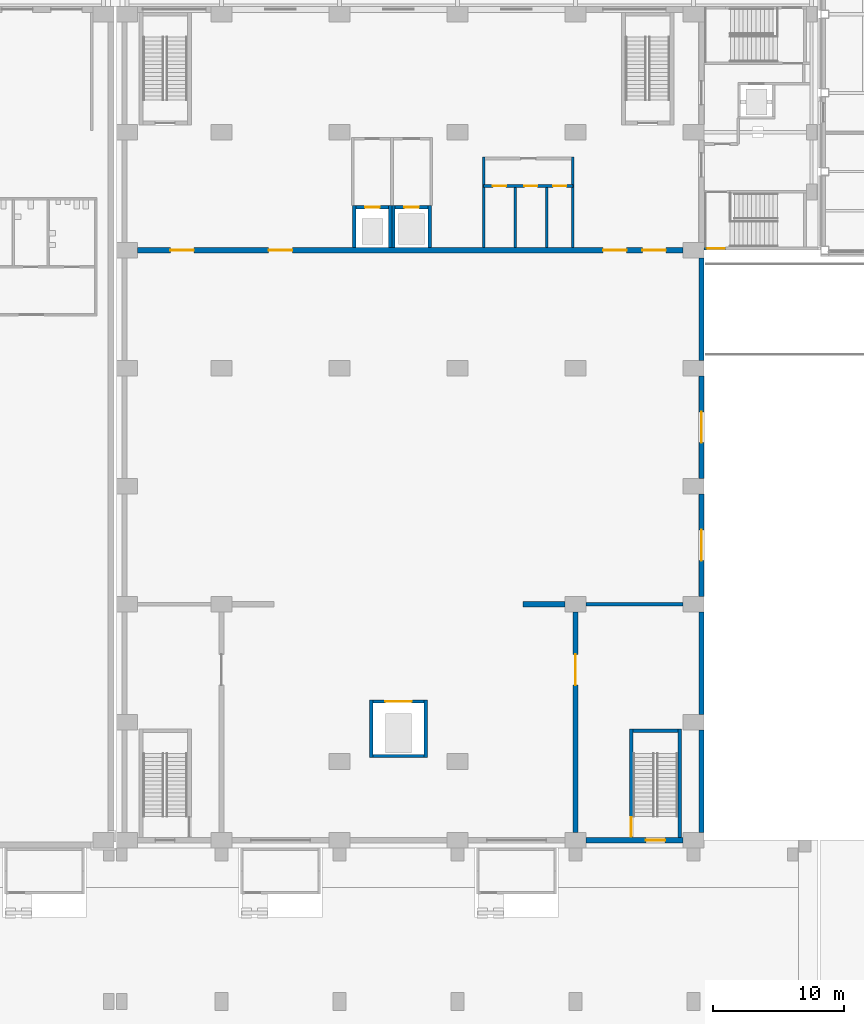
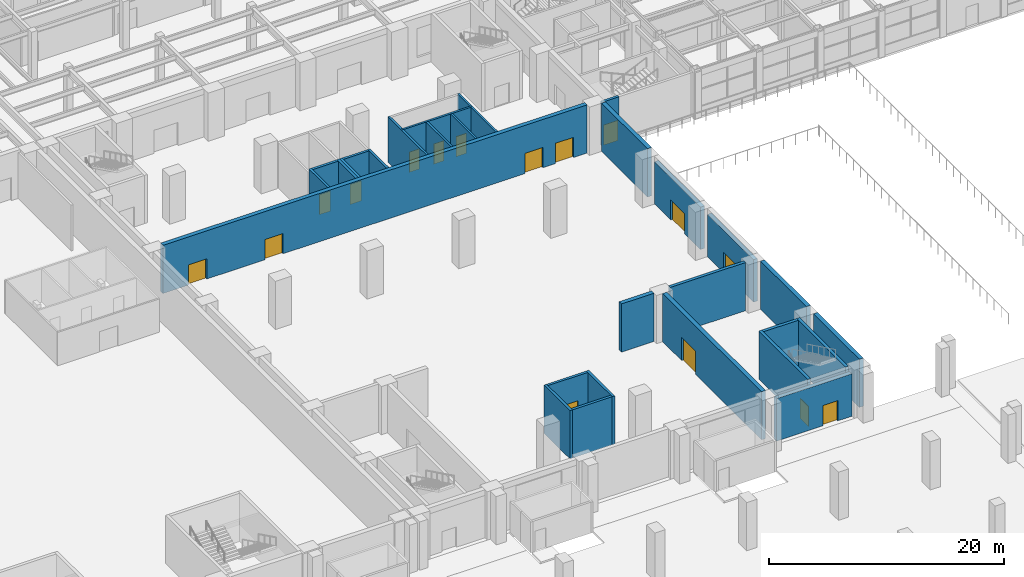
# One storey, part 43 of 77: 29 walls, 16 doors, 16 openings.
"""IFC4 building model written with IfcOpenShell, lengths in metres."""

from ifc_helpers import new_model, si_unit, direction, frame, frame_2d, origin, place, context, subcontext, project, spatial, rectangle, extrude, material, layer, layer_set, type_object, element, fill, save


model = new_model("IFC4")

# Units and contexts
model_context = context("Model", 3, precision=1e-05, world=origin(), true_north=direction((0.0, 1.0)))
body_context = subcontext(model_context, "Body", "Model", "MODEL_VIEW")
ifc_project = project(units=[si_unit("LENGTHUNIT", "METRE"), si_unit("AREAUNIT", "SQUARE_METRE"), si_unit("VOLUMEUNIT", "CUBIC_METRE"), si_unit("PLANEANGLEUNIT", "RADIAN"), si_unit("MASSUNIT", "GRAM", prefix="KILO")], contexts=[model_context])

# Site, building, storey
site_placement = place(None, origin())
site = spatial("IfcSite", under=ifc_project, at=site_placement, CompositionType="ELEMENT")
building_placement = place(site_placement, origin())
building = spatial("IfcBuilding", under=site, at=building_placement, Name="Aravalli Gate Trade Fair Centre", CompositionType="ELEMENT")
storey_placement = place(building_placement, origin())
storey = spatial("IfcBuildingStorey", under=building, at=storey_placement, Name="L00", CompositionType="ELEMENT", Elevation=0.0)

# Walls
ifc_material_1 = material(Name="Concrete M40", Category="concrete")
ifc_layer_1 = layer(ifc_material_1, 0.25)
ifc_layer_set_1 = layer_set([ifc_layer_1], Name="Concrete M40")
wall_type_1 = type_object("IfcWallType", Name="Congress RC wall 250 shaft", PredefinedType="SHEAR", material=ifc_layer_set_1)
for number, where, z_axis, x_axis, name in (
    (1, (125.425048828125, 52.300048828125, 0.0), (0.0, 0.0, 1.0), (0.0, 1.0, 0.0), "Goods lift shaft wall W L00"),
    (2, (129.574951171875, 52.300048828125, 0.0), (0.0, 0.0, 1.0), (0.0, 1.0, 0.0), "Goods lift shaft wall E L00"),
):
    element("IfcWall", number, at=place(storey_placement, frame(where, z_axis=z_axis, x_axis=x_axis)), inside=storey, type_object=wall_type_1, Name=name, PredefinedType="SHEAR", context=body_context, shape_type="SweptSolid", body=[
        extrude(rectangle(XDim=4.39990234375, YDim=0.25, at=frame_2d((2.199951171875, 0.0))), origin(), (0.0, 0.0, 1.0), 5.0),
    ])
wall_1_placement = place(storey_placement, frame((125.550048828125, 52.425048828125, 0.0), z_axis=(0.0, 0.0, 1.0), x_axis=(1.0, 0.0, 0.0)))
element("IfcWall", 3, at=wall_1_placement, inside=storey, type_object=wall_type_1, Name="Goods lift shaft wall F L00", PredefinedType="SHEAR", context=body_context, shape_type="SweptSolid", body=[
    extrude(rectangle(XDim=3.89990234375, YDim=0.25, at=frame_2d((1.949951171875, 0.0))), origin(), (0.0, 0.0, 1.0), 5.0),
])

# Wall, opening, door
wall_2_placement = place(storey_placement, frame((125.550048828125, 56.574951171875, 0.0), z_axis=(0.0, 0.0, 1.0), x_axis=(1.0, 0.0, 0.0)))
wall_2 = element("IfcWall", 4, at=wall_2_placement, inside=storey, type_object=wall_type_1, Name="Goods lift shaft wall N L00", PredefinedType="SHEAR", context=body_context, shape_type="SweptSolid", body=[
    extrude(rectangle(XDim=3.89990234375, YDim=0.25, at=frame_2d((1.949951171875, 0.0))), origin(), (0.0, 0.0, 1.0), 5.0),
])
opening_1_placement = place(wall_2_placement, frame((0.949951171875, 0.0, 0.0)))
opening_1 = element("IfcOpeningElement", 5, at=opening_1_placement, cuts=wall_2, Name="Opening G-L00-12", PredefinedType="OPENING", context=body_context, shape_type="SweptSolid", body=[
    extrude(rectangle(XDim=2.0, YDim=2.39990234375, at=frame_2d((1.0, 1.199951171875))), frame((0.0, 0.135009765625, 0.0), z_axis=(0.0, -1.0, 0.0), x_axis=(1.0, 0.0, 0.0)), (0.0, 0.0, 1.0), 0.27001953125),
])
ifc_material_2 = material(Name="Elevator door panels")
door_type_1 = type_object("IfcDoorType", Name="Congress lift landing door 2000 x 2400", OperationType="SLIDING_TO_LEFT", PredefinedType="DOOR", material=ifc_material_2)
door_1_placement = place(opening_1_placement, origin())
door_1 = element("IfcDoor", 6, at=door_1_placement, inside=storey, type_object=door_type_1, Name="Lift GL3 landing door G-L00-12", OperationType="SLIDING_TO_LEFT", OverallHeight=2.39990234375, OverallWidth=2.0, PredefinedType="DOOR", context=body_context, shape_type="SweptSolid", body=[
    extrude(rectangle(XDim=2.0, YDim=2.39990234375, at=frame_2d((1.0, 1.199951171875))), frame((0.0, 0.02490234375, 0.0), z_axis=(0.0, -1.0, 0.0), x_axis=(1.0, 0.0, 0.0)), (0.0, 0.0, 1.0), 0.050048828125),
])
fill(opening_1, door_1)

# Walls
for number, where, z_axis, x_axis, name in (
    (7, (124.125, 91.199951171875, 0.0), (0.0, 0.0, 1.0), (0.0, 1.0, 0.0), "Lift GL1 shaft wall W L00"),
    (8, (126.875, 91.199951171875, 0.0), (0.0, 0.0, 1.0), (0.0, 1.0, 0.0), "Lift GL1 shaft wall E L00"),
):
    element("IfcWall", number, at=place(storey_placement, frame(where, z_axis=z_axis, x_axis=x_axis)), inside=storey, type_object=wall_type_1, Name=name, PredefinedType="SHEAR", context=body_context, shape_type="SweptSolid", body=[
        extrude(rectangle(XDim=3.199951171875, YDim=0.25, at=frame_2d((1.60009765625, 0.0))), origin(), (0.0, 0.0, 1.0), 5.0),
    ])

# Wall, opening, door
wall_3_placement = place(storey_placement, frame((124.25, 94.27490234375, 0.0), z_axis=(0.0, 0.0, 1.0), x_axis=(1.0, 0.0, 0.0)))
wall_3 = element("IfcWall", 9, at=wall_3_placement, inside=storey, type_object=wall_type_1, Name="Lift GL1 shaft wall F L00", PredefinedType="SHEAR", context=body_context, shape_type="SweptSolid", body=[
    extrude(rectangle(XDim=2.5, YDim=0.25, at=frame_2d((1.25, 0.0))), origin(), (0.0, 0.0, 1.0), 5.0),
])
opening_2_placement = place(wall_3_placement, frame((0.699951171875, 0.0, 0.0)))
opening_2 = element("IfcOpeningElement", 10, at=opening_2_placement, cuts=wall_3, Name="Opening G-L00-17", PredefinedType="OPENING", context=body_context, shape_type="SweptSolid", body=[
    extrude(rectangle(XDim=1.10009765625, YDim=2.10009765625, at=frame_2d((0.550048828125, 1.050048828125))), frame((0.0, 0.135009765625, 0.0), z_axis=(0.0, -1.0, 0.0), x_axis=(1.0, 0.0, 0.0)), (0.0, 0.0, 1.0), 0.27001953125),
])
door_type_2 = type_object("IfcDoorType", Name="Congress lift landing door 1100 x 2100", OperationType="SLIDING_TO_LEFT", PredefinedType="DOOR", material=ifc_material_2)
door_2_placement = place(opening_2_placement, origin())
door_2 = element("IfcDoor", 11, at=door_2_placement, inside=storey, type_object=door_type_2, Name="Lift GL1 landing door G-L00-17", OperationType="SLIDING_TO_LEFT", OverallHeight=2.10009765625, OverallWidth=1.10009765625, PredefinedType="DOOR", context=body_context, shape_type="SweptSolid", body=[
    extrude(rectangle(XDim=1.10009765625, YDim=2.10009765625, at=frame_2d((0.550048828125, 1.050048828125))), frame((0.0, 0.02490234375, 0.0), z_axis=(0.0, -1.0, 0.0), x_axis=(1.0, 0.0, 0.0)), (0.0, 0.0, 1.0), 0.050048828125),
])
fill(opening_2, door_2)

# Walls
for number, where, z_axis, x_axis, name in (
    (12, (127.125, 91.199951171875, 0.0), (0.0, 0.0, 1.0), (0.0, 1.0, 0.0), "Lift GL2 shaft wall W L00"),
    (13, (129.875, 91.199951171875, 0.0), (0.0, 0.0, 1.0), (0.0, 1.0, 0.0), "Lift GL2 shaft wall E L00"),
):
    element("IfcWall", number, at=place(storey_placement, frame(where, z_axis=z_axis, x_axis=x_axis)), inside=storey, type_object=wall_type_1, Name=name, PredefinedType="SHEAR", context=body_context, shape_type="SweptSolid", body=[
        extrude(rectangle(XDim=3.199951171875, YDim=0.25, at=frame_2d((1.60009765625, 0.0))), origin(), (0.0, 0.0, 1.0), 5.0),
    ])

# Wall, opening, door
wall_4_placement = place(storey_placement, frame((127.25, 94.27490234375, 0.0), z_axis=(0.0, 0.0, 1.0), x_axis=(1.0, 0.0, 0.0)))
wall_4 = element("IfcWall", 14, at=wall_4_placement, inside=storey, type_object=wall_type_1, Name="Lift GL2 shaft wall F L00", PredefinedType="SHEAR", context=body_context, shape_type="SweptSolid", body=[
    extrude(rectangle(XDim=2.5, YDim=0.25, at=frame_2d((1.25, 0.0))), origin(), (0.0, 0.0, 1.0), 5.0),
])
opening_3_placement = place(wall_4_placement, frame((0.699951171875, 0.0, 0.0)))
opening_3 = element("IfcOpeningElement", 15, at=opening_3_placement, cuts=wall_4, Name="Opening G-L00-18", PredefinedType="OPENING", context=body_context, shape_type="SweptSolid", body=[
    extrude(rectangle(XDim=1.10009765625, YDim=2.10009765625, at=frame_2d((0.550048828125, 1.050048828125))), frame((0.0, 0.135009765625, 0.0), z_axis=(0.0, -1.0, 0.0), x_axis=(1.0, 0.0, 0.0)), (0.0, 0.0, 1.0), 0.27001953125),
])
door_3_placement = place(opening_3_placement, origin())
door_3 = element("IfcDoor", 16, at=door_3_placement, inside=storey, type_object=door_type_2, Name="Lift GL2 landing door G-L00-18", OperationType="SLIDING_TO_LEFT", OverallHeight=2.10009765625, OverallWidth=1.10009765625, PredefinedType="DOOR", context=body_context, shape_type="SweptSolid", body=[
    extrude(rectangle(XDim=1.10009765625, YDim=2.10009765625, at=frame_2d((0.550048828125, 1.050048828125))), frame((0.0, 0.02490234375, 0.0), z_axis=(0.0, -1.0, 0.0), x_axis=(1.0, 0.0, 0.0)), (0.0, 0.0, 1.0), 0.050048828125),
])
fill(opening_3, door_3)

# Wall
ifc_layer_2 = layer(ifc_material_1, 0.300048828125)
ifc_layer_set_2 = layer_set([ifc_layer_2], Name="Concrete M40")
wall_type_2 = type_object("IfcWallType", Name="Congress RC wall 300", PredefinedType="SHEAR", material=ifc_layer_set_2)
wall_5_placement = place(storey_placement, frame((141.800048828125, 64.0, 0.0), z_axis=(0.0, 0.0, 1.0), x_axis=(1.0, 0.0, 0.0)))
element("IfcWall", 17, at=wall_5_placement, inside=storey, type_object=wall_type_2, Name="Stage wing north wall E L00", PredefinedType="SHEAR", context=body_context, shape_type="SweptSolid", body=[
    extrude(rectangle(XDim=7.39990234375, YDim=0.300048828125, at=frame_2d((3.699951171875, 0.0))), origin(), (0.0, 0.0, 1.0), 5.0),
])

# Wall, opening, door
wall_6_placement = place(storey_placement, frame((145.25, 46.199951171875, 0.0), z_axis=(0.0, 0.0, 1.0), x_axis=(0.0, 1.0, 0.0)))
wall_6 = element("IfcWall", 18, at=wall_6_placement, inside=storey, type_object=wall_type_2, Name="Stage Stair East wall W L00", PredefinedType="SHEAR", context=body_context, shape_type="SweptSolid", body=[
    extrude(rectangle(XDim=8.300048828125, YDim=0.300048828125, at=frame_2d((4.14990234375, 0.0))), origin(), (0.0, 0.0, 1.0), 5.0),
])
opening_4_placement = place(wall_6_placement, frame((0.0849609375, 0.0, 0.0)))
opening_4 = element("IfcOpeningElement", 19, at=opening_4_placement, cuts=wall_6, Name="Opening G-L00-14", PredefinedType="OPENING", context=body_context, shape_type="SweptSolid", body=[
    extrude(rectangle(XDim=1.449951171875, YDim=2.10009765625, at=frame_2d((0.72509765625, 1.050048828125))), frame((0.0, 0.159912109375, 0.0), z_axis=(0.0, -1.0, 0.0), x_axis=(1.0, 0.0, 0.0)), (0.0, 0.0, 1.0), 0.320068359375),
])
ifc_material_3 = material(Name="Steel, fire rated", Category="steel")
door_type_3 = type_object("IfcDoorType", Name="Congress fire door FD120 1450 x 2100", OperationType="SINGLE_SWING_LEFT", PredefinedType="DOOR", material=ifc_material_3)
door_4_placement = place(opening_4_placement, frame((1.449951171875, 0.0, 0.0), z_axis=(0.0, 0.0, 1.0), x_axis=(-1.0, 0.0, 0.0)))
door_4 = element("IfcDoor", 20, at=door_4_placement, inside=storey, type_object=door_type_3, Name="Stage Stair East door L00", OperationType="SINGLE_SWING_RIGHT", OverallHeight=2.10009765625, OverallWidth=1.449951171875, PredefinedType="DOOR", context=body_context, shape_type="SweptSolid", body=[
    extrude(rectangle(XDim=1.449951171875, YDim=2.10009765625, at=frame_2d((0.72509765625, 1.050048828125))), frame((0.0, 0.02490234375, 0.0), z_axis=(0.0, -1.0, 0.0), x_axis=(1.0, 0.0, 0.0)), (0.0, 0.0, 1.0), 0.050048828125),
])
fill(opening_4, door_4)

# Walls
wall_7_placement = place(storey_placement, frame((148.949951171875, 46.199951171875, 0.0), z_axis=(0.0, 0.0, 1.0), x_axis=(0.0, 1.0, 0.0)))
element("IfcWall", 21, at=wall_7_placement, inside=storey, type_object=wall_type_2, Name="Stage Stair East wall E L00", PredefinedType="SHEAR", context=body_context, shape_type="SweptSolid", body=[
    extrude(rectangle(XDim=8.300048828125, YDim=0.300048828125, at=frame_2d((4.14990234375, 0.0))), origin(), (0.0, 0.0, 1.0), 5.0),
])
wall_8_placement = place(storey_placement, frame((145.39990234375, 54.35009765625, 0.0), z_axis=(0.0, 0.0, 1.0), x_axis=(1.0, 0.0, 0.0)))
element("IfcWall", 22, at=wall_8_placement, inside=storey, type_object=wall_type_2, Name="Stage Stair East wall N L00", PredefinedType="SHEAR", context=body_context, shape_type="SweptSolid", body=[
    extrude(rectangle(XDim=3.400146484375, YDim=0.300048828125, at=frame_2d((1.7001953125, 0.0))), origin(), (0.0, 0.0, 1.0), 5.0),
])

# Wall, openings, doors
ifc_layer_3 = layer(ifc_material_1, 0.39990234375)
ifc_layer_set_3 = layer_set([ifc_layer_3], Name="Concrete M40")
wall_type_3 = type_object("IfcWallType", Name="Congress RC wall 400", PredefinedType="SHEAR", material=ifc_layer_set_3)
wall_9_placement = place(storey_placement, frame((107.60009765625, 91.0, 0.0), z_axis=(0.0, 0.0, 1.0), x_axis=(1.0, 0.0, 0.0)))
wall_9 = element("IfcWall", 23, at=wall_9_placement, inside=storey, type_object=wall_type_3, Name="Auditorium rear wall L00", PredefinedType="SHEAR", context=body_context, shape_type="SweptSolid", body=[
    extrude(rectangle(XDim=41.599853515625, YDim=0.39990234375, at=frame_2d((20.7998046875, 0.0))), origin(), (0.0, 0.0, 1.0), 5.0),
])
opening_5_placement = place(wall_9_placement, frame((2.5, 0.0, 0.0)))
opening_5 = element("IfcOpeningElement", 24, at=opening_5_placement, cuts=wall_9, Name="Opening G-L00-25", PredefinedType="OPENING", context=body_context, shape_type="SweptSolid", body=[
    extrude(rectangle(XDim=1.800048828125, YDim=2.10009765625, at=frame_2d((0.89990234375, 1.050048828125))), frame((0.0, 0.2099609375, 0.0), z_axis=(0.0, -1.0, 0.0), x_axis=(1.0, 0.0, 0.0)), (0.0, 0.0, 1.0), 0.419921875),
])
opening_6_placement = place(wall_9_placement, frame((10.0, 0.0, 0.0)))
opening_6 = element("IfcOpeningElement", 25, at=opening_6_placement, cuts=wall_9, Name="Opening G-L00-26", PredefinedType="OPENING", context=body_context, shape_type="SweptSolid", body=[
    extrude(rectangle(XDim=1.800048828125, YDim=2.10009765625, at=frame_2d((0.89990234375, 1.050048828125))), frame((0.0, 0.2099609375, 0.0), z_axis=(0.0, -1.0, 0.0), x_axis=(1.0, 0.0, 0.0)), (0.0, 0.0, 1.0), 0.419921875),
])
opening_7_placement = place(wall_9_placement, frame((35.5, 0.0, 0.0)))
opening_7 = element("IfcOpeningElement", 26, at=opening_7_placement, cuts=wall_9, Name="Opening G-L00-27", PredefinedType="OPENING", context=body_context, shape_type="SweptSolid", body=[
    extrude(rectangle(XDim=1.800048828125, YDim=2.10009765625, at=frame_2d((0.89990234375, 1.050048828125))), frame((0.0, 0.2099609375, 0.0), z_axis=(0.0, -1.0, 0.0), x_axis=(1.0, 0.0, 0.0)), (0.0, 0.0, 1.0), 0.419921875),
])
opening_8_placement = place(wall_9_placement, frame((38.5, 0.0, 0.0)))
opening_8 = element("IfcOpeningElement", 27, at=opening_8_placement, cuts=wall_9, Name="Opening G-L00-28", PredefinedType="OPENING", context=body_context, shape_type="SweptSolid", body=[
    extrude(rectangle(XDim=1.800048828125, YDim=2.10009765625, at=frame_2d((0.89990234375, 1.050048828125))), frame((0.0, 0.2099609375, 0.0), z_axis=(0.0, -1.0, 0.0), x_axis=(1.0, 0.0, 0.0)), (0.0, 0.0, 1.0), 0.419921875),
])
door_type_4 = type_object("IfcDoorType", Name="Congress fire door FD120 1800 x 2100 double door single swing", OperationType="DOUBLE_DOOR_SINGLE_SWING", PredefinedType="DOOR", material=ifc_material_3)
door_5_placement = place(opening_5_placement, origin())
door_5 = element("IfcDoor", 28, at=door_5_placement, inside=storey, type_object=door_type_4, Name="Auditorium rear door L00 1", OperationType="DOUBLE_DOOR_SINGLE_SWING", OverallHeight=2.10009765625, OverallWidth=1.800048828125, PredefinedType="DOOR", context=body_context, shape_type="SweptSolid", body=[
    extrude(rectangle(XDim=1.800048828125, YDim=2.10009765625, at=frame_2d((0.89990234375, 1.050048828125))), frame((0.0, 0.02490234375, 0.0), z_axis=(0.0, -1.0, 0.0), x_axis=(1.0, 0.0, 0.0)), (0.0, 0.0, 1.0), 0.050048828125),
])
fill(opening_5, door_5)
door_6_placement = place(opening_6_placement, frame((1.800048828125, 0.0, 0.0), z_axis=(0.0, 0.0, 1.0), x_axis=(-1.0, 0.0, 0.0)))
door_6 = element("IfcDoor", 29, at=door_6_placement, inside=storey, type_object=door_type_4, Name="Auditorium rear door L00 2", OperationType="DOUBLE_DOOR_SINGLE_SWING", OverallHeight=2.10009765625, OverallWidth=1.800048828125, PredefinedType="DOOR", context=body_context, shape_type="SweptSolid", body=[
    extrude(rectangle(XDim=1.800048828125, YDim=2.10009765625, at=frame_2d((0.89990234375, 1.050048828125))), frame((0.0, 0.02490234375, 0.0), z_axis=(0.0, -1.0, 0.0), x_axis=(1.0, 0.0, 0.0)), (0.0, 0.0, 1.0), 0.050048828125),
])
fill(opening_6, door_6)
door_7_placement = place(opening_7_placement, origin())
door_7 = element("IfcDoor", 30, at=door_7_placement, inside=storey, type_object=door_type_4, Name="Auditorium rear door L00 3", OperationType="DOUBLE_DOOR_SINGLE_SWING", OverallHeight=2.10009765625, OverallWidth=1.800048828125, PredefinedType="DOOR", context=body_context, shape_type="SweptSolid", body=[
    extrude(rectangle(XDim=1.800048828125, YDim=2.10009765625, at=frame_2d((0.89990234375, 1.050048828125))), frame((0.0, 0.02490234375, 0.0), z_axis=(0.0, -1.0, 0.0), x_axis=(1.0, 0.0, 0.0)), (0.0, 0.0, 1.0), 0.050048828125),
])
fill(opening_7, door_7)
door_8_placement = place(opening_8_placement, frame((1.800048828125, 0.0, 0.0), z_axis=(0.0, 0.0, 1.0), x_axis=(-1.0, 0.0, 0.0)))
door_8 = element("IfcDoor", 31, at=door_8_placement, inside=storey, type_object=door_type_4, Name="Auditorium rear door L00 4", OperationType="DOUBLE_DOOR_SINGLE_SWING", OverallHeight=2.10009765625, OverallWidth=1.800048828125, PredefinedType="DOOR", context=body_context, shape_type="SweptSolid", body=[
    extrude(rectangle(XDim=1.800048828125, YDim=2.10009765625, at=frame_2d((0.89990234375, 1.050048828125))), frame((0.0, 0.02490234375, 0.0), z_axis=(0.0, -1.0, 0.0), x_axis=(1.0, 0.0, 0.0)), (0.0, 0.0, 1.0), 0.050048828125),
])
fill(opening_8, door_8)

# Wall, opening, door
wall_10_placement = place(storey_placement, frame((141.0, 46.60009765625, 0.0), z_axis=(0.0, 0.0, 1.0), x_axis=(0.0, 1.0, 0.0)))
wall_10 = element("IfcWall", 32, at=wall_10_placement, inside=storey, type_object=wall_type_3, Name="Stage house wall line 141 L00", PredefinedType="SHEAR", context=body_context, shape_type="SweptSolid", body=[
    extrude(rectangle(XDim=16.7998046875, YDim=0.39990234375, at=frame_2d((8.39990234375, 0.0))), origin(), (0.0, 0.0, 1.0), 5.0),
])
opening_9_placement = place(wall_10_placement, frame((11.22509765625, 0.0, 0.0)))
opening_9 = element("IfcOpeningElement", 33, at=opening_9_placement, cuts=wall_10, Name="Opening G-L00-30", PredefinedType="OPENING", context=body_context, shape_type="SweptSolid", body=[
    extrude(rectangle(XDim=2.35009765625, YDim=2.39990234375, at=frame_2d((1.175048828125, 1.199951171875))), frame((0.0, 0.2099609375, 0.0), z_axis=(0.0, -1.0, 0.0), x_axis=(1.0, 0.0, 0.0)), (0.0, 0.0, 1.0), 0.419921875),
])
door_type_5 = type_object("IfcDoorType", Name="Congress fire door FD120 2350 x 2400 double door single swing", OperationType="DOUBLE_DOOR_SINGLE_SWING", PredefinedType="DOOR", material=ifc_material_3)
door_9_placement = place(opening_9_placement, frame((2.35009765625, 0.0, 0.0), z_axis=(0.0, 0.0, 1.0), x_axis=(-1.0, 0.0, 0.0)))
door_9 = element("IfcDoor", 34, at=door_9_placement, inside=storey, type_object=door_type_5, Name="Stage door E", OperationType="DOUBLE_DOOR_SINGLE_SWING", OverallHeight=2.39990234375, OverallWidth=2.35009765625, PredefinedType="DOOR", context=body_context, shape_type="SweptSolid", body=[
    extrude(rectangle(XDim=2.35009765625, YDim=2.39990234375, at=frame_2d((1.175048828125, 1.199951171875))), frame((0.0, 0.02490234375, 0.0), z_axis=(0.0, -1.0, 0.0), x_axis=(1.0, 0.0, 0.0)), (0.0, 0.0, 1.0), 0.050048828125),
])
fill(opening_9, door_9)

# Walls
wall_11_placement = place(storey_placement, frame((137.0, 64.0, 0.0), z_axis=(0.0, 0.0, 1.0), x_axis=(1.0, 0.0, 0.0)))
element("IfcWall", 35, at=wall_11_placement, inside=storey, type_object=wall_type_3, Name="Proscenium wall E L00", PredefinedType="SHEAR", context=body_context, shape_type="SweptSolid", body=[
    extrude(rectangle(XDim=3.199951171875, YDim=0.39990234375, at=frame_2d((1.60009765625, 0.0))), origin(), (0.0, 0.0, 1.0), 5.0),
])
ifc_layer_4 = layer(ifc_material_1, 0.25, Name="Structural wall")
ifc_material_4 = material(Name="Ventilated air cavity")
ifc_layer_5 = layer(ifc_material_4, 0.050048828125, ventilated=True, Name="Ventilated cavity")
ifc_material_5 = material(Name="Terracotta rainscreen", Category="masonry")
ifc_layer_6 = layer(ifc_material_5, 0.10009765625, Name="Rainscreen cladding")
ifc_layer_set_4 = layer_set([ifc_layer_4, ifc_layer_5, ifc_layer_6], Name="Congress external wall 400")
wall_type_4 = type_object("IfcWallType", Name="Congress external wall 400", PredefinedType="SOLIDWALL", material=ifc_layer_set_4)
for number, where, z_axis, x_axis, name in (
    (36, (150.60009765625, 46.60009765625, 0.0), (0.0, 0.0, 1.0), (0.0, 1.0, 0.0), "East wall L00 bay 1"),
    (37, (150.60009765625, 55.60009765625, 0.0), (0.0, 0.0, 1.0), (0.0, 1.0, 0.0), "East wall L00 bay 2"),
):
    element("IfcWall", number, at=place(storey_placement, frame(where, z_axis=z_axis, x_axis=x_axis)), inside=storey, type_object=wall_type_4, Name=name, PredefinedType="SOLIDWALL", context=body_context, shape_type="SweptSolid", body=[
        extrude(rectangle(XDim=7.7998046875, YDim=0.39990234375, at=frame_2d((3.89990234375, 0.0))), origin(), (0.0, 0.0, 1.0), 5.0),
    ])

# Wall, opening, door
wall_12_placement = place(storey_placement, frame((150.60009765625, 64.60009765625, 0.0), z_axis=(0.0, 0.0, 1.0), x_axis=(0.0, 1.0, 0.0)))
wall_12 = element("IfcWall", 38, at=wall_12_placement, inside=storey, type_object=wall_type_4, Name="East wall L00 bay 3", PredefinedType="SOLIDWALL", context=body_context, shape_type="SweptSolid", body=[
    extrude(rectangle(XDim=7.7998046875, YDim=0.39990234375, at=frame_2d((3.89990234375, 0.0))), origin(), (0.0, 0.0, 1.0), 4.39990234375),
])
opening_10_placement = place(wall_12_placement, frame((2.72509765625, 0.0, 0.0)))
opening_10 = element("IfcOpeningElement", 39, at=opening_10_placement, cuts=wall_12, Name="Opening G-L00-05", PredefinedType="OPENING", context=body_context, shape_type="SweptSolid", body=[
    extrude(rectangle(XDim=2.35009765625, YDim=2.10009765625, at=frame_2d((1.175048828125, 1.050048828125))), frame((0.0, 0.2099609375, 0.0), z_axis=(0.0, -1.0, 0.0), x_axis=(1.0, 0.0, 0.0)), (0.0, 0.0, 1.0), 0.419921875),
])
door_type_6 = type_object("IfcDoorType", Name="Congress fire door FD120 2350 x 2100 double door single swing", OperationType="DOUBLE_DOOR_SINGLE_SWING", PredefinedType="DOOR", material=ifc_material_3)
door_10_placement = place(opening_10_placement, frame((2.35009765625, 0.0, 0.0), z_axis=(0.0, 0.0, 1.0), x_axis=(-1.0, 0.0, 0.0)))
door_10 = element("IfcDoor", 40, at=door_10_placement, inside=storey, type_object=door_type_6, Name="Auditorium side exit 1", OperationType="DOUBLE_DOOR_SINGLE_SWING", OverallHeight=2.10009765625, OverallWidth=2.35009765625, PredefinedType="DOOR", context=body_context, shape_type="SweptSolid", body=[
    extrude(rectangle(XDim=2.35009765625, YDim=2.10009765625, at=frame_2d((1.175048828125, 1.050048828125))), frame((0.0, 0.02490234375, 0.0), z_axis=(0.0, -1.0, 0.0), x_axis=(1.0, 0.0, 0.0)), (0.0, 0.0, 1.0), 0.050048828125),
])
fill(opening_10, door_10)

wall_13_placement = place(storey_placement, frame((150.60009765625, 73.60009765625, 0.0), z_axis=(0.0, 0.0, 1.0), x_axis=(0.0, 1.0, 0.0)))
wall_13 = element("IfcWall", 41, at=wall_13_placement, inside=storey, type_object=wall_type_4, Name="East wall L00 bay 4", PredefinedType="SOLIDWALL", context=body_context, shape_type="SweptSolid", body=[
    extrude(rectangle(XDim=7.7998046875, YDim=0.39990234375, at=frame_2d((3.89990234375, 0.0))), origin(), (0.0, 0.0, 1.0), 4.39990234375),
])
opening_11_placement = place(wall_13_placement, frame((2.72509765625, 0.0, 0.0)))
opening_11 = element("IfcOpeningElement", 42, at=opening_11_placement, cuts=wall_13, Name="Opening G-L00-06", PredefinedType="OPENING", context=body_context, shape_type="SweptSolid", body=[
    extrude(rectangle(XDim=2.35009765625, YDim=2.10009765625, at=frame_2d((1.175048828125, 1.050048828125))), frame((0.0, 0.2099609375, 0.0), z_axis=(0.0, -1.0, 0.0), x_axis=(1.0, 0.0, 0.0)), (0.0, 0.0, 1.0), 0.419921875),
])
door_11_placement = place(opening_11_placement, frame((2.35009765625, 0.0, 0.0), z_axis=(0.0, 0.0, 1.0), x_axis=(-1.0, 0.0, 0.0)))
door_11 = element("IfcDoor", 43, at=door_11_placement, inside=storey, type_object=door_type_6, Name="Auditorium side exit 2", OperationType="DOUBLE_DOOR_SINGLE_SWING", OverallHeight=2.10009765625, OverallWidth=2.35009765625, PredefinedType="DOOR", context=body_context, shape_type="SweptSolid", body=[
    extrude(rectangle(XDim=2.35009765625, YDim=2.10009765625, at=frame_2d((1.175048828125, 1.050048828125))), frame((0.0, 0.02490234375, 0.0), z_axis=(0.0, -1.0, 0.0), x_axis=(1.0, 0.0, 0.0)), (0.0, 0.0, 1.0), 0.050048828125),
])
fill(opening_11, door_11)

# Wall
wall_14_placement = place(storey_placement, frame((150.60009765625, 82.60009765625, 0.0), z_axis=(0.0, 0.0, 1.0), x_axis=(0.0, 1.0, 0.0)))
element("IfcWall", 44, at=wall_14_placement, inside=storey, type_object=wall_type_4, Name="East wall L00 bay 5", PredefinedType="SOLIDWALL", context=body_context, shape_type="SweptSolid", body=[
    extrude(rectangle(XDim=7.7998046875, YDim=0.39990234375, at=frame_2d((3.89990234375, 0.0))), origin(), (0.0, 0.0, 1.0), 5.0),
])

# Wall, opening, door
wall_15_placement = place(storey_placement, frame((141.800048828125, 46.0, 0.0), z_axis=(0.0, 0.0, 1.0), x_axis=(1.0, 0.0, 0.0)))
wall_15 = element("IfcWall", 45, at=wall_15_placement, inside=storey, type_object=wall_type_4, Name="South wall L00 bay 5", PredefinedType="SOLIDWALL", context=body_context, shape_type="SweptSolid", body=[
    extrude(rectangle(XDim=7.39990234375, YDim=0.39990234375, at=frame_2d((3.699951171875, 0.0))), origin(), (0.0, 0.0, 1.0), 4.39990234375),
])
opening_12_placement = place(wall_15_placement, frame((4.574951171875, 0.0, 0.0)))
opening_12 = element("IfcOpeningElement", 46, at=opening_12_placement, cuts=wall_15, Name="Opening G-L00-04", PredefinedType="OPENING", context=body_context, shape_type="SweptSolid", body=[
    extrude(rectangle(XDim=1.449951171875, YDim=2.10009765625, at=frame_2d((0.72509765625, 1.050048828125))), frame((0.0, 0.2099609375, 0.0), z_axis=(0.0, -1.0, 0.0), x_axis=(1.0, 0.0, 0.0)), (0.0, 0.0, 1.0), 0.419921875),
])
door_12_placement = place(opening_12_placement, frame((1.449951171875, 0.0, 0.0), z_axis=(0.0, 0.0, 1.0), x_axis=(-1.0, 0.0, 0.0)))
door_12 = element("IfcDoor", 47, at=door_12_placement, inside=storey, type_object=door_type_3, Name="Stage Stair East Exit Door", OperationType="SINGLE_SWING_LEFT", OverallHeight=2.10009765625, OverallWidth=1.449951171875, PredefinedType="DOOR", context=body_context, shape_type="SweptSolid", body=[
    extrude(rectangle(XDim=1.449951171875, YDim=2.10009765625, at=frame_2d((0.72509765625, 1.050048828125))), frame((0.0, 0.02490234375, 0.0), z_axis=(0.0, -1.0, 0.0), x_axis=(1.0, 0.0, 0.0)), (0.0, 0.0, 1.0), 0.050048828125),
])
fill(opening_12, door_12)

# Walls
ifc_material_6 = material(Name="Concrete block masonry", Category="masonry")
ifc_layer_7 = layer(ifc_material_6, 0.199951171875)
ifc_layer_set_5 = layer_set([ifc_layer_7], Name="Concrete block masonry")
wall_type_5 = type_object("IfcWallType", Name="Congress partition 200", PredefinedType="PARTITIONING", material=ifc_layer_set_5)
for number, where, z_axis, x_axis, name in (
    (48, (134.0, 91.199951171875, 0.0), (0.0, 0.0, 1.0), (0.0, 1.0, 0.0), "WC block wall W L00"),
    (49, (140.800048828125, 91.199951171875, 0.0), (0.0, 0.0, 1.0), (0.0, 1.0, 0.0), "WC block wall E L00"),
):
    element("IfcWall", number, at=place(storey_placement, frame(where, z_axis=z_axis, x_axis=x_axis)), inside=storey, type_object=wall_type_5, Name=name, PredefinedType="PARTITIONING", context=body_context, shape_type="SweptSolid", body=[
        extrude(rectangle(XDim=6.900146484375, YDim=0.199951171875, at=frame_2d((3.4501953125, 0.0))), origin(), (0.0, 0.0, 1.0), 4.699951171875),
    ])

# Wall, openings, doors
wall_16_placement = place(storey_placement, frame((134.0, 95.89990234375, 0.0), z_axis=(0.0, 0.0, 1.0), x_axis=(1.0, 0.0, 0.0)))
wall_16 = element("IfcWall", 50, at=wall_16_placement, inside=storey, type_object=wall_type_5, Name="WC block partition L00", PredefinedType="PARTITIONING", context=body_context, shape_type="SweptSolid", body=[
    extrude(rectangle(XDim=6.800048828125, YDim=0.199951171875, at=frame_2d((3.39990234375, 0.0))), origin(), (0.0, 0.0, 1.0), 4.699951171875),
])
opening_13_placement = place(wall_16_placement, frame((0.699951171875, 0.0, 0.0)))
opening_13 = element("IfcOpeningElement", 51, at=opening_13_placement, cuts=wall_16, Name="Opening G-L00-22", PredefinedType="OPENING", context=body_context, shape_type="SweptSolid", body=[
    extrude(rectangle(XDim=1.0, YDim=2.10009765625, at=frame_2d((0.5, 1.050048828125))), frame((0.0, 0.10986328125, 0.0), z_axis=(0.0, -1.0, 0.0), x_axis=(1.0, 0.0, 0.0)), (0.0, 0.0, 1.0), 0.219970703125),
])
opening_14_placement = place(wall_16_placement, frame((3.10009765625, 0.0, 0.0)))
opening_14 = element("IfcOpeningElement", 52, at=opening_14_placement, cuts=wall_16, Name="Opening G-L00-23", PredefinedType="OPENING", context=body_context, shape_type="SweptSolid", body=[
    extrude(rectangle(XDim=1.0, YDim=2.10009765625, at=frame_2d((0.5, 1.050048828125))), frame((0.0, 0.10986328125, 0.0), z_axis=(0.0, -1.0, 0.0), x_axis=(1.0, 0.0, 0.0)), (0.0, 0.0, 1.0), 0.219970703125),
])
opening_15_placement = place(wall_16_placement, frame((5.300048828125, 0.0, 0.0)))
opening_15 = element("IfcOpeningElement", 53, at=opening_15_placement, cuts=wall_16, Name="Opening G-L00-24", PredefinedType="OPENING", context=body_context, shape_type="SweptSolid", body=[
    extrude(rectangle(XDim=1.0, YDim=2.10009765625, at=frame_2d((0.5, 1.050048828125))), frame((0.0, 0.10986328125, 0.0), z_axis=(0.0, -1.0, 0.0), x_axis=(1.0, 0.0, 0.0)), (0.0, 0.0, 1.0), 0.219970703125),
])
ifc_material_7 = material(Name="Timber and steel", Category="steel")
door_type_7 = type_object("IfcDoorType", Name="Congress door 1000 x 2100", OperationType="SINGLE_SWING_LEFT", PredefinedType="DOOR", material=ifc_material_7)
door_13_placement = place(opening_13_placement, frame((1.0, 0.0, 0.0), z_axis=(0.0, 0.0, 1.0), x_axis=(-1.0, 0.0, 0.0)))
door_13 = element("IfcDoor", 54, at=door_13_placement, inside=storey, type_object=door_type_7, Name="Gents WC door L00", OperationType="SINGLE_SWING_LEFT", OverallHeight=2.10009765625, OverallWidth=1.0, PredefinedType="DOOR", context=body_context, shape_type="SweptSolid", body=[
    extrude(rectangle(XDim=1.0, YDim=2.10009765625, at=frame_2d((0.5, 1.050048828125))), frame((0.0, 0.02490234375, 0.0), z_axis=(0.0, -1.0, 0.0), x_axis=(1.0, 0.0, 0.0)), (0.0, 0.0, 1.0), 0.050048828125),
])
fill(opening_13, door_13)
door_14_placement = place(opening_14_placement, frame((1.0, 0.0, 0.0), z_axis=(0.0, 0.0, 1.0), x_axis=(-1.0, 0.0, 0.0)))
door_14 = element("IfcDoor", 55, at=door_14_placement, inside=storey, type_object=door_type_7, Name="Ladies WC door L00", OperationType="SINGLE_SWING_RIGHT", OverallHeight=2.10009765625, OverallWidth=1.0, PredefinedType="DOOR", context=body_context, shape_type="SweptSolid", body=[
    extrude(rectangle(XDim=1.0, YDim=2.10009765625, at=frame_2d((0.5, 1.050048828125))), frame((0.0, 0.02490234375, 0.0), z_axis=(0.0, -1.0, 0.0), x_axis=(1.0, 0.0, 0.0)), (0.0, 0.0, 1.0), 0.050048828125),
])
fill(opening_14, door_14)
door_15_placement = place(opening_15_placement, frame((1.0, 0.0, 0.0), z_axis=(0.0, 0.0, 1.0), x_axis=(-1.0, 0.0, 0.0)))
door_15 = element("IfcDoor", 56, at=door_15_placement, inside=storey, type_object=door_type_7, Name="Accessible WC door L00", OperationType="SINGLE_SWING_RIGHT", OverallHeight=2.10009765625, OverallWidth=1.0, PredefinedType="DOOR", context=body_context, shape_type="SweptSolid", body=[
    extrude(rectangle(XDim=1.0, YDim=2.10009765625, at=frame_2d((0.5, 1.050048828125))), frame((0.0, 0.02490234375, 0.0), z_axis=(0.0, -1.0, 0.0), x_axis=(1.0, 0.0, 0.0)), (0.0, 0.0, 1.0), 0.050048828125),
])
fill(opening_15, door_15)

# Walls
for number, where, z_axis, x_axis, name in (
    (57, (136.39990234375, 91.199951171875, 0.0), (0.0, 0.0, 1.0), (0.0, 1.0, 0.0), "WC partition 1 L00"),
    (58, (138.800048828125, 91.199951171875, 0.0), (0.0, 0.0, 1.0), (0.0, 1.0, 0.0), "WC partition 2 L00"),
):
    element("IfcWall", number, at=place(storey_placement, frame(where, z_axis=z_axis, x_axis=x_axis)), inside=storey, type_object=wall_type_5, Name=name, PredefinedType="PARTITIONING", context=body_context, shape_type="SweptSolid", body=[
        extrude(rectangle(XDim=4.60009765625, YDim=0.199951171875, at=frame_2d((2.300048828125, 0.0))), origin(), (0.0, 0.0, 1.0), 4.699951171875),
    ])

# Wall, opening, door
ifc_material_8 = material(Name="Concrete M30", Category="concrete")
ifc_layer_8 = layer(ifc_material_8, 0.2099609375, Name="Reinforced concrete")
ifc_material_9 = material(Name="Terracotta cladding", Category="masonry")
ifc_layer_9 = layer(ifc_material_9, 0.0400390625, Name="Terracotta cladding")
ifc_layer_set_6 = layer_set([ifc_layer_8, ifc_layer_9], Name="Link external wall 250")
wall_type_6 = type_object("IfcWallType", Name="Link external wall 250", PredefinedType="SOLIDWALL", material=ifc_layer_set_6)
wall_17_placement = place(storey_placement, frame((150.800048828125, 91.125, 0.0), z_axis=(0.0, 0.0, 1.0), x_axis=(1.0, 0.0, 0.0)))
wall_17 = element("IfcWall", 59, at=wall_17_placement, inside=storey, type_object=wall_type_6, Name="Link wall S1 L00", PredefinedType="SOLIDWALL", context=body_context, shape_type="SweptSolid", body=[
    extrude(rectangle(XDim=1.64990234375, YDim=0.25, at=frame_2d((0.824951171875, 0.0))), origin(), (0.0, 0.0, 1.0), 4.590087890625),
])
opening_16_placement = place(wall_17_placement, frame((0.199951171875, 0.0, 0.0)))
opening_16 = element("IfcOpeningElement", 60, at=opening_16_placement, cuts=wall_17, Name="Opening T-L00-231", PredefinedType="OPENING", context=body_context, shape_type="SweptSolid", body=[
    extrude(rectangle(XDim=1.39990234375, YDim=2.10009765625, at=frame_2d((0.699951171875, 1.050048828125))), frame((0.0, 0.135009765625, 0.0), z_axis=(0.0, -1.0, 0.0), x_axis=(1.0, 0.0, 0.0)), (0.0, 0.0, 1.0), 0.27001953125),
])
door_type_8 = type_object("IfcDoorType", Name="Wing fire door FD120 1400 x 2100", OperationType="DOUBLE_DOOR_SINGLE_SWING", PredefinedType="DOOR", material=ifc_material_3)
door_16_placement = place(opening_16_placement, frame((1.39990234375, 0.0, 0.0), z_axis=(0.0, 0.0, 1.0), x_axis=(-1.0, 0.0, 0.0)))
door_16 = element("IfcDoor", 61, at=door_16_placement, inside=storey, type_object=door_type_8, Name="Link exit door T-L00-231", OperationType="DOUBLE_DOOR_SINGLE_SWING", OverallHeight=2.10009765625, OverallWidth=1.39990234375, PredefinedType="DOOR", context=body_context, shape_type="SweptSolid", body=[
    extrude(rectangle(XDim=1.39990234375, YDim=2.10009765625, at=frame_2d((0.699951171875, 1.050048828125))), frame((0.0, 0.02490234375, 0.0), z_axis=(0.0, -1.0, 0.0), x_axis=(1.0, 0.0, 0.0)), (0.0, 0.0, 1.0), 0.050048828125),
])
fill(opening_16, door_16)

save(model, "model.ifc")
